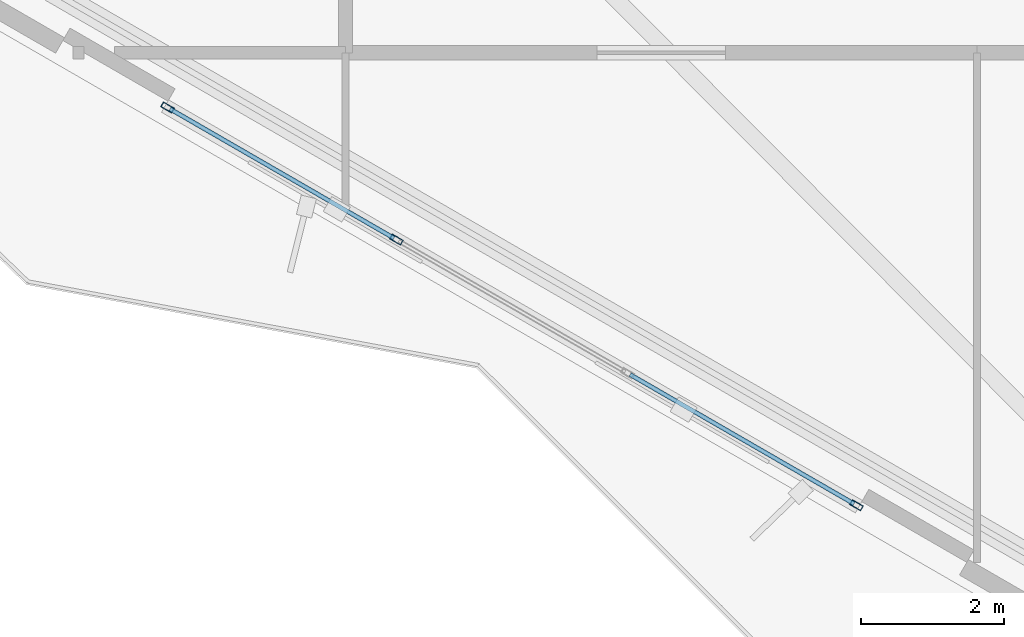
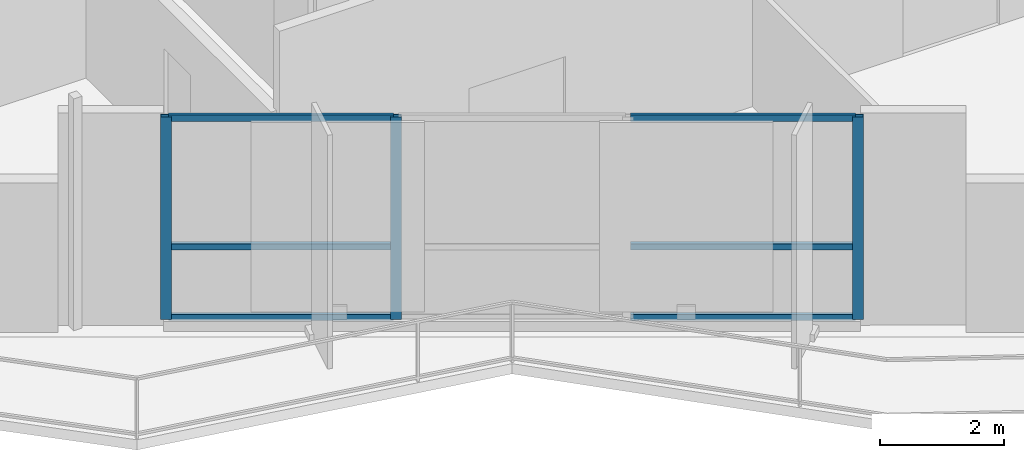
# One storey, part 2 of 20: 9 members, 1 element without a shape of its own.
"""IFC4 building model written with IfcOpenShell, lengths in metres."""

from ifc_helpers import new_model, si_unit, direction, frame, origin, origin_2d, place, context, subcontext, project, spatial, hollow_rectangle, extrude, material, layer, layer_set, material_profile, profile_set, type_object, element, aggregate, save


model = new_model("IFC4")

# Units and contexts
model_context = context("Model", 3, precision=1e-05, world=origin(), true_north=direction((0.0, 1.0)))
body_context = subcontext(model_context, "Body", "Model", "MODEL_VIEW")
ifc_project = project(units=[si_unit("LENGTHUNIT", "METRE"), si_unit("AREAUNIT", "SQUARE_METRE"), si_unit("VOLUMEUNIT", "CUBIC_METRE"), si_unit("PLANEANGLEUNIT", "RADIAN"), si_unit("MASSUNIT", "GRAM", prefix="KILO")], contexts=[model_context])

# Site, building, storey
site_placement = place(None, origin())
site = spatial("IfcSite", under=ifc_project, at=site_placement, CompositionType="ELEMENT")
building_placement = place(site_placement, origin())
building = spatial("IfcBuilding", under=site, at=building_placement, Name="Mersakhor Tower and Convention Hall", CompositionType="ELEMENT")
storey_placement = place(building_placement, frame((0.0, 0.0, 116.39990234375)))
storey = spatial("IfcBuildingStorey", under=building, at=storey_placement, Name="L32", CompositionType="ELEMENT", Elevation=116.39990234375)

# Curtain wall, members
ifc_material_1 = material(Name="Dark solar low-E aluminium curtain wall", Category="aluminium")
ifc_layer = layer(ifc_material_1, 0.199951171875)
ifc_layer_set = layer_set([ifc_layer], Name="Dark solar low-E aluminium curtain wall")
curtain_wall_type = type_object("IfcCurtainWallType", Name="CW-SYS-05", PredefinedType="USERDEFINED", material=ifc_layer_set)
curtain_wall_placement = place(storey_placement, origin())
curtain_wall = element("IfcCurtainWall", 1, at=curtain_wall_placement, inside=storey, type_object=curtain_wall_type, Name="L32 Dark-Glass Curtain Wall F3-B2", ObjectType="CURTAIN WALL", PredefinedType="USERDEFINED")
ifc_material_2 = material(Name="Anodised aluminium EN AW-6063 T6", Category="aluminium")
ifc_material_profile_1 = material_profile(ifc_material_2, hollow_rectangle(XDim=0.080078125, YDim=0.179931640625, WallThickness=0.008056640625, at=origin_2d()), Name="RHS 180x80x8")
ifc_profile_set_1 = profile_set([ifc_material_profile_1], Name="Anodised aluminium EN AW-6063 T6")
member_type_1 = type_object("IfcMemberType", Name="CWM-180x80", PredefinedType="MULLION", material=ifc_profile_set_1)
member_1_placement = place(storey_placement, frame((26.810546875, 11.808349609375, 0.2001953125), z_axis=(0.0, 0.0, 1.0), x_axis=(-0.499997904985, -0.866026613339, 0.0)))
member_1 = element("IfcMember", 2, at=member_1_placement, type_object=member_type_1, Name="CW-05 mullion 1", PredefinedType="MULLION", context=body_context, shape_type="SweptSolid", body=[
    extrude(hollow_rectangle(XDim=0.080078125, YDim=0.179931640625, WallThickness=0.008056640625, at=origin_2d()), origin(), (0.0, 0.0, 1.0), 3.97998046875),
])
member_2_placement = place(storey_placement, frame((20.36181640625, 15.531494140625, 0.2001953125), z_axis=(0.0, 0.0, 1.0), x_axis=(-0.499997904985, -0.866026613339, 0.0)))
member_2 = element("IfcMember", 3, at=member_2_placement, type_object=member_type_1, Name="CW-05 mullion 3", PredefinedType="MULLION", context=body_context, shape_type="SweptSolid", body=[
    extrude(hollow_rectangle(XDim=0.080078125, YDim=0.179931640625, WallThickness=0.008056640625, at=origin_2d()), origin(), (0.0, 0.0, 1.0), 3.97998046875),
])
member_3_placement = place(storey_placement, frame((17.15478515625, 17.383056640625, 0.2001953125), z_axis=(0.0, 0.0, 1.0), x_axis=(-0.499997904985, -0.866026613339, 0.0)))
member_3 = element("IfcMember", 4, at=member_3_placement, type_object=member_type_1, Name="CW-05 mullion 4", PredefinedType="MULLION", context=body_context, shape_type="SweptSolid", body=[
    extrude(hollow_rectangle(XDim=0.080078125, YDim=0.179931640625, WallThickness=0.008056640625, at=origin_2d()), origin(), (0.0, 0.0, 1.0), 3.97998046875),
])
ifc_material_3 = material(Name="Anodised aluminium EN AW-6063 T6", Category="aluminium")
ifc_material_profile_2 = material_profile(ifc_material_3, hollow_rectangle(XDim=0.06005859375, YDim=0.1201171875, WallThickness=0.0048828125, at=origin_2d()), Name="RHS 120x60x5")
ifc_profile_set_2 = profile_set([ifc_material_profile_2], Name="Anodised aluminium EN AW-6063 T6")
member_type_2 = type_object("IfcMemberType", Name="CWT-120x60", PredefinedType="USERDEFINED", material=ifc_profile_set_2)
member_4_placement = place(storey_placement, frame((26.77587890625, 11.828369140625, 0.22998046875), z_axis=(-0.866028486751, 0.499994660107, 0.0), x_axis=(-0.499994660107, -0.866028486751, 0.0)))
member_4 = element("IfcMember", 5, at=member_4_placement, type_object=member_type_2, Name="CW-05 transom 1.1", ObjectType="TRANSOM", PredefinedType="USERDEFINED", context=body_context, shape_type="SweptSolid", body=[
    extrude(hollow_rectangle(XDim=0.06005859375, YDim=0.1201171875, WallThickness=0.0048828125, at=origin_2d()), origin(), (0.0, 0.0, 1.0), 3.623046875),
])
member_5_placement = place(storey_placement, frame((26.77587890625, 11.828369140625, 1.6201171875), z_axis=(-0.866028486751, 0.499994660107, 0.0), x_axis=(-0.499994660107, -0.866028486751, 0.0)))
member_5 = element("IfcMember", 6, at=member_5_placement, type_object=member_type_2, Name="CW-05 transom 1.2", ObjectType="TRANSOM", PredefinedType="USERDEFINED", context=body_context, shape_type="SweptSolid", body=[
    extrude(hollow_rectangle(XDim=0.06005859375, YDim=0.1201171875, WallThickness=0.0048828125, at=origin_2d()), origin(), (0.0, 0.0, 1.0), 3.623046875),
])
member_6_placement = place(storey_placement, frame((26.77587890625, 11.828369140625, 4.150146484375), z_axis=(-0.866028486751, 0.499994660107, 0.0), x_axis=(-0.499994660107, -0.866028486751, 0.0)))
member_6 = element("IfcMember", 7, at=member_6_placement, type_object=member_type_2, Name="CW-05 transom 1.3", ObjectType="TRANSOM", PredefinedType="USERDEFINED", context=body_context, shape_type="SweptSolid", body=[
    extrude(hollow_rectangle(XDim=0.06005859375, YDim=0.1201171875, WallThickness=0.0048828125, at=origin_2d()), origin(), (0.0, 0.0, 1.0), 3.623046875),
])
member_7_placement = place(storey_placement, frame((20.3271484375, 15.551513671875, 0.22998046875), z_axis=(-0.866028486751, 0.499994660107, 0.0), x_axis=(-0.499994660107, -0.866028486751, 0.0)))
member_7 = element("IfcMember", 8, at=member_7_placement, type_object=member_type_2, Name="CW-05 transom 3.1", ObjectType="TRANSOM", PredefinedType="USERDEFINED", context=body_context, shape_type="SweptSolid", body=[
    extrude(hollow_rectangle(XDim=0.06005859375, YDim=0.1201171875, WallThickness=0.0048828125, at=origin_2d()), origin(), (0.0, 0.0, 1.0), 3.623046875),
])
member_8_placement = place(storey_placement, frame((20.3271484375, 15.551513671875, 1.6201171875), z_axis=(-0.866028486751, 0.499994660107, 0.0), x_axis=(-0.499994660107, -0.866028486751, 0.0)))
member_8 = element("IfcMember", 9, at=member_8_placement, type_object=member_type_2, Name="CW-05 transom 3.2", ObjectType="TRANSOM", PredefinedType="USERDEFINED", context=body_context, shape_type="SweptSolid", body=[
    extrude(hollow_rectangle(XDim=0.06005859375, YDim=0.1201171875, WallThickness=0.0048828125, at=origin_2d()), origin(), (0.0, 0.0, 1.0), 3.623046875),
])
member_9_placement = place(storey_placement, frame((20.3271484375, 15.551513671875, 4.150146484375), z_axis=(-0.866028486751, 0.499994660107, 0.0), x_axis=(-0.499994660107, -0.866028486751, 0.0)))
member_9 = element("IfcMember", 10, at=member_9_placement, type_object=member_type_2, Name="CW-05 transom 3.3", ObjectType="TRANSOM", PredefinedType="USERDEFINED", context=body_context, shape_type="SweptSolid", body=[
    extrude(hollow_rectangle(XDim=0.06005859375, YDim=0.1201171875, WallThickness=0.0048828125, at=origin_2d()), origin(), (0.0, 0.0, 1.0), 3.623046875),
])
aggregate(curtain_wall, [member_1, member_2, member_3, member_4, member_5, member_6, member_7, member_8, member_9])

save(model, "model.ifc")
